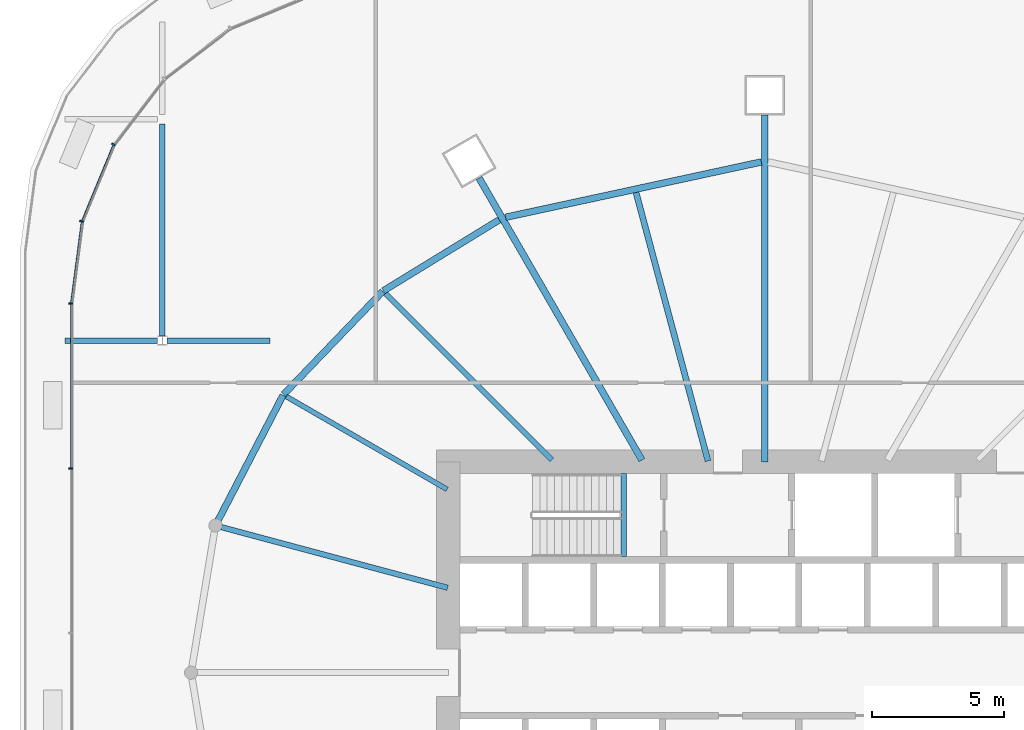
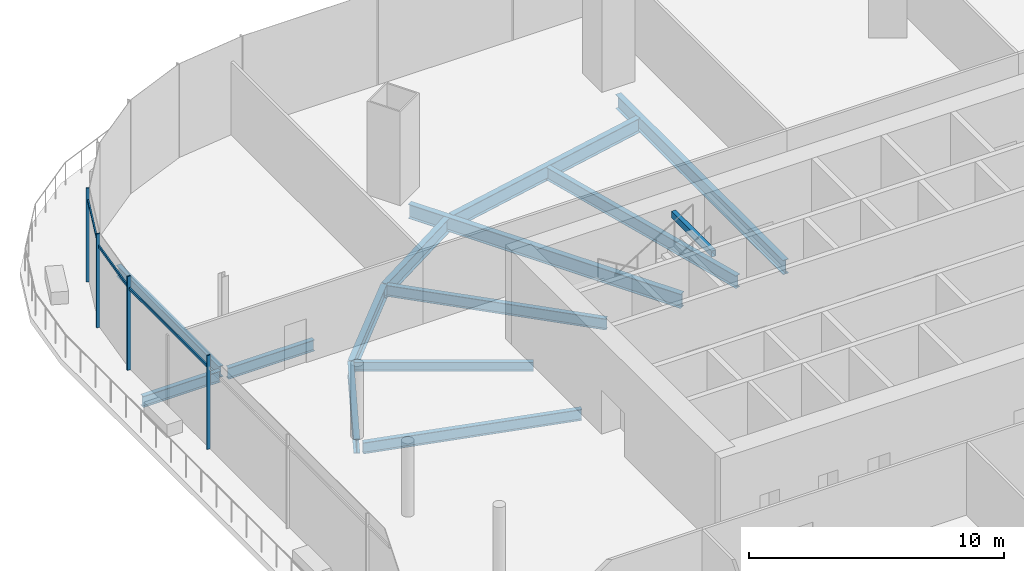
# One storey, part 15 of 49: 14 beams, 7 members, 1 element without a shape of its own.
"""IFC4 building model written with IfcOpenShell, lengths in metres."""

from ifc_helpers import new_model, si_unit, direction, frame, origin, origin_2d, place, context, subcontext, project, spatial, rectangle, hollow_rectangle, i_section, extrude, material, material_profile, profile_set, type_object, element, aggregate, save


model = new_model("IFC4")

# Units and contexts
model_context = context("Model", 3, precision=1e-05, world=origin(), true_north=direction((0.0, 1.0)))
body_context = subcontext(model_context, "Body", "Model", "MODEL_VIEW")
ifc_project = project(units=[si_unit("LENGTHUNIT", "METRE"), si_unit("AREAUNIT", "SQUARE_METRE"), si_unit("VOLUMEUNIT", "CUBIC_METRE"), si_unit("PLANEANGLEUNIT", "RADIAN"), si_unit("MASSUNIT", "GRAM", prefix="KILO")], contexts=[model_context])

# Site, building, storey
site_placement = place(None, origin())
site = spatial("IfcSite", under=ifc_project, at=site_placement, CompositionType="ELEMENT")
building_placement = place(site_placement, origin())
building = spatial("IfcBuilding", under=site, at=building_placement, Name="Rimbun Link Towers", CompositionType="ELEMENT")
storey_placement = place(building_placement, frame((0.0, 0.0, 25.5)))
storey = spatial("IfcBuildingStorey", under=building, at=storey_placement, Name="L05", CompositionType="ELEMENT", Elevation=25.5)

# Curtain wall, members
ifc_material_1 = material(Name="Aluminium 6063-T6 and low-iron glass", Category="aluminium")
curtain_wall_type = type_object("IfcCurtainWallType", Name="CW3 podium shopfront", PredefinedType="NOTDEFINED", material=ifc_material_1)
curtain_wall_placement = place(storey_placement, origin())
curtain_wall = element("IfcCurtainWall", 1, at=curtain_wall_placement, inside=storey, type_object=curtain_wall_type, Name="CW3 L05 PD", PredefinedType="NOTDEFINED")
ifc_material_2 = material(Name="Aluminium 6063-T6", Category="aluminium")
ifc_material_profile_1 = material_profile(ifc_material_2, rectangle(XDim=0.14990234375, YDim=0.06005859375, at=origin_2d()), Name="MULLION 60X150")
ifc_profile_set_1 = profile_set([ifc_material_profile_1], Name="Aluminium 6063-T6")
member_type_1 = type_object("IfcMemberType", Name="CW3 mullion 60X150", PredefinedType="MULLION", material=ifc_profile_set_1)
member_1_placement = place(storey_placement, frame((-56.457275390625, 20.03759765625, 0.0), z_axis=(0.0, 0.0, 1.0), x_axis=(-0.866029040155, 0.499993701568, 0.0)))
member_1 = element("IfcMember", 2, at=member_1_placement, type_object=member_type_1, Name="CW3 mullion", PredefinedType="MULLION", context=body_context, shape_type="SweptSolid", body=[
    extrude(rectangle(XDim=0.14990234375, YDim=0.06005859375, at=origin_2d()), origin(), (0.0, 0.0, 1.0), 4.5),
])
member_2_placement = place(storey_placement, frame((-57.66357421875, 17.125244140625, 0.0), z_axis=(0.0, 0.0, 1.0), x_axis=(-0.965925910978, 0.258818729038, 0.0)))
member_2 = element("IfcMember", 3, at=member_2_placement, type_object=member_type_1, Name="CW3 mullion", PredefinedType="MULLION", context=body_context, shape_type="SweptSolid", body=[
    extrude(rectangle(XDim=0.14990234375, YDim=0.06005859375, at=origin_2d()), origin(), (0.0, 0.0, 1.0), 4.5),
])
member_3_placement = place(storey_placement, frame((-58.074951171875, 14.0048828125, 0.0), z_axis=(0.0, 0.0, 1.0), x_axis=(-0.997858781723, 0.065405288299, 0.0)))
member_3 = element("IfcMember", 4, at=member_3_placement, type_object=member_type_1, Name="CW3 mullion", PredefinedType="MULLION", context=body_context, shape_type="SweptSolid", body=[
    extrude(rectangle(XDim=0.14990234375, YDim=0.06005859375, at=origin_2d()), origin(), (0.0, 0.0, 1.0), 4.5),
])
member_4_placement = place(storey_placement, frame((-58.074951171875, 7.75, 0.0), z_axis=(0.0, 0.0, 1.0), x_axis=(-1.0, 0.0, 0.0)))
member_4 = element("IfcMember", 5, at=member_4_placement, type_object=member_type_1, Name="CW3 mullion", PredefinedType="MULLION", context=body_context, shape_type="SweptSolid", body=[
    extrude(rectangle(XDim=0.14990234375, YDim=0.06005859375, at=origin_2d()), origin(), (0.0, 0.0, 1.0), 4.5),
])
ifc_material_3 = material(Name="Aluminium 6063-T6", Category="aluminium")
ifc_material_profile_2 = material_profile(ifc_material_3, rectangle(XDim=0.06005859375, YDim=0.1201171875, at=origin_2d()), Name="TRANSOM 60X120")
ifc_profile_set_2 = profile_set([ifc_material_profile_2], Name="Aluminium 6063-T6")
member_type_2 = type_object("IfcMemberType", Name="CW3 transom 60X120", PredefinedType="USERDEFINED", material=ifc_profile_set_2)
member_5_placement = place(storey_placement, frame((-57.62939453125, 17.154296875, 3.89990234375), z_axis=(0.382679289053, 0.923881248716, 0.0), x_axis=(-0.923881248716, 0.382679289053, 0.0)))
member_5 = element("IfcMember", 6, at=member_5_placement, type_object=member_type_2, Name="CW3 transom", ObjectType="TRANSOM", PredefinedType="USERDEFINED", context=body_context, shape_type="SweptSolid", body=[
    extrude(rectangle(XDim=0.06005859375, YDim=0.1201171875, at=origin_2d()), origin(), (0.0, 0.0, 1.0), 3.072509765625),
])
member_6_placement = place(storey_placement, frame((-58.049560546875, 14.036865234375, 3.89990234375), z_axis=(0.130555231638, 0.991441037829, 0.0), x_axis=(-0.991441037829, 0.130555231638, 0.0)))
member_6 = element("IfcMember", 7, at=member_6_placement, type_object=member_type_2, Name="CW3 transom", ObjectType="TRANSOM", PredefinedType="USERDEFINED", context=body_context, shape_type="SweptSolid", body=[
    extrude(rectangle(XDim=0.06005859375, YDim=0.1201171875, at=origin_2d()), origin(), (0.0, 0.0, 1.0), 3.072509765625),
])
member_7_placement = place(storey_placement, frame((-58.053955078125, 7.780029296875, 3.89990234375), z_axis=(0.0, 1.0, 0.0), x_axis=(-1.0, 0.0, 0.0)))
member_7 = element("IfcMember", 8, at=member_7_placement, type_object=member_type_2, Name="CW3 transom", ObjectType="TRANSOM", PredefinedType="USERDEFINED", context=body_context, shape_type="SweptSolid", body=[
    extrude(rectangle(XDim=0.06005859375, YDim=0.1201171875, at=origin_2d()), origin(), (0.0, 0.0, 1.0), 6.18994140625),
])
aggregate(curtain_wall, [member_1, member_2, member_3, member_4, member_5, member_6, member_7])

# Beams
ifc_material_4 = material(Name="Steel S355J2", Category="steel")
ifc_material_profile_3 = material_profile(ifc_material_4, hollow_rectangle(XDim=0.199951171875, YDim=0.300048828125, WallThickness=0.011962890625, at=origin_2d()), Name="BOX 300x200x12")
ifc_profile_set_3 = profile_set([ifc_material_profile_3], Name="Steel S355J2")
beam_type_1 = type_object("IfcBeamType", Name="Stair trimmer beam BOX 300x200x12", PredefinedType="BEAM", material=ifc_profile_set_3)
beam_1_placement = place(storey_placement, frame((-37.10009765625, 7.550048828125, 4.050048828125), z_axis=(0.0, -1.0, 0.0), x_axis=(1.0, 0.0, 0.0)))
element("IfcBeam", 9, at=beam_1_placement, inside=storey, type_object=beam_type_1, Name="L05 ST1 stair beam 1", PredefinedType="BEAM", context=body_context, shape_type="SweptSolid", body=[
    extrude(hollow_rectangle(XDim=0.199951171875, YDim=0.300048828125, WallThickness=0.011962890625, at=origin_2d()), origin(), (0.0, 0.0, 1.0), 3.150146484375),
])
ifc_material_5 = material(Name="Steel S355J2", Category="steel")
ifc_material_profile_4 = material_profile(ifc_material_5, i_section(OverallWidth=0.18994140625, OverallDepth=0.453369140625, WebThickness=0.008544921875, FlangeThickness=0.0126953125, at=origin_2d()), Name="UB 457x191x67")
ifc_profile_set_4 = profile_set([ifc_material_profile_4], Name="Steel S355J2")
beam_type_2 = type_object("IfcBeamType", Name="UB 457x191x67", PredefinedType="BEAM", material=ifc_profile_set_4)
beam_2_placement = place(storey_placement, frame((-43.79833984375, 6.9560546875, -0.526611328125), z_axis=(-0.866023453068, 0.500003378725, 0.0), x_axis=(-0.500003378725, -0.866023453068, 0.0)))
element("IfcBeam", 10, at=beam_2_placement, inside=storey, type_object=beam_type_2, Name="Radial beam T1 L05 10", PredefinedType="BEAM", context=body_context, shape_type="SweptSolid", body=[
    extrude(i_section(OverallWidth=0.18994140625, OverallDepth=0.453369140625, WebThickness=0.008544921875, FlangeThickness=0.0126953125, at=origin_2d()), origin(), (0.0, 0.0, 1.0), 7.04638671875),
])
ifc_material_6 = material(Name="Steel S355J2", Category="steel")
ifc_material_profile_5 = material_profile(ifc_material_6, i_section(OverallWidth=0.209228515625, OverallDepth=0.533203125, WebThickness=0.010009765625, FlangeThickness=0.015625, at=origin_2d()), Name="UB 533x210x92")
ifc_profile_set_5 = profile_set([ifc_material_profile_5], Name="Steel S355J2")
beam_type_3 = type_object("IfcBeamType", Name="UB 533x210x92", PredefinedType="BEAM", material=ifc_profile_set_5)
beam_3_placement = place(storey_placement, frame((-39.82470703125, 8.07470703125, -0.56640625), z_axis=(-0.707106781187, 0.707106781187, 0.0), x_axis=(-0.707106781187, -0.707106781187, 0.0)))
element("IfcBeam", 11, at=beam_3_placement, inside=storey, type_object=beam_type_3, Name="Radial beam T1 L05 09", PredefinedType="BEAM", context=body_context, shape_type="SweptSolid", body=[
    extrude(i_section(OverallWidth=0.209228515625, OverallDepth=0.533203125, WebThickness=0.010009765625, FlangeThickness=0.015625, at=origin_2d()), origin(), (0.0, 0.0, 1.0), 8.9287109375),
])
beam_4_placement = place(storey_placement, frame((-43.778076171875, 3.222900390625, -0.56640625), z_axis=(-0.965921441409, 0.258835409145, 0.0), x_axis=(-0.258835409145, -0.965921441409, 0.0)))
element("IfcBeam", 12, at=beam_4_placement, inside=storey, type_object=beam_type_3, Name="Radial beam T1 L05 11", PredefinedType="BEAM", context=body_context, shape_type="SweptSolid", body=[
    extrude(i_section(OverallWidth=0.209228515625, OverallDepth=0.533203125, WebThickness=0.010009765625, FlangeThickness=0.015625, at=origin_2d()), origin(), (0.0, 0.0, 1.0), 8.88720703125),
])
beam_5_placement = place(storey_placement, frame((-58.285400390625, 12.60009765625, -0.56640625), z_axis=(1.0, 0.0, 0.0), x_axis=(0.0, 1.0, 0.0)))
element("IfcBeam", 13, at=beam_5_placement, inside=storey, type_object=beam_type_3, Name="Grid beam L05 +12.6", PredefinedType="BEAM", context=body_context, shape_type="SweptSolid", body=[
    extrude(i_section(OverallWidth=0.209228515625, OverallDepth=0.533203125, WebThickness=0.010009765625, FlangeThickness=0.015625, at=origin_2d()), origin(), (0.0, 0.0, 1.0), 3.5),
])
beam_6_placement = place(storey_placement, frame((-54.414794921875, 12.60009765625, -0.56640625), z_axis=(1.0, 0.0, 0.0), x_axis=(0.0, 1.0, 0.0)))
element("IfcBeam", 14, at=beam_6_placement, inside=storey, type_object=beam_type_3, Name="Grid beam L05 +12.6", PredefinedType="BEAM", context=body_context, shape_type="SweptSolid", body=[
    extrude(i_section(OverallWidth=0.209228515625, OverallDepth=0.533203125, WebThickness=0.010009765625, FlangeThickness=0.015625, at=origin_2d()), origin(), (0.0, 0.0, 1.0), 3.900146484375),
])
beam_7_placement = place(storey_placement, frame((-54.60009765625, 12.781005859375, -0.56640625), z_axis=(0.0, 1.0, 0.0), x_axis=(-1.0, 0.0, 0.0)))
element("IfcBeam", 15, at=beam_7_placement, inside=storey, type_object=beam_type_3, Name="Grid beam L05 -54.6", PredefinedType="BEAM", context=body_context, shape_type="SweptSolid", body=[
    extrude(i_section(OverallWidth=0.209228515625, OverallDepth=0.533203125, WebThickness=0.010009765625, FlangeThickness=0.015625, at=origin_2d()), origin(), (0.0, 0.0, 1.0), 8.0380859375),
])
ifc_material_7 = material(Name="Steel S355J2", Category="steel")
ifc_material_profile_6 = material_profile(ifc_material_7, i_section(OverallWidth=0.2275390625, OverallDepth=0.6025390625, WebThickness=0.010498046875, FlangeThickness=0.014892578125, at=origin_2d()), Name="UB 610x229x101")
ifc_profile_set_6 = profile_set([ifc_material_profile_6], Name="Steel S355J2")
beam_type_4 = type_object("IfcBeamType", Name="UB 610x229x101", PredefinedType="BEAM", material=ifc_profile_set_6)
beam_8_placement = place(storey_placement, frame((-33.901611328125, 8.030517578125, -0.601318359375), z_axis=(-0.258844096103, 0.965919113545, 0.0), x_axis=(-0.965919113545, -0.258844096103, 0.0)))
element("IfcBeam", 16, at=beam_8_placement, inside=storey, type_object=beam_type_4, Name="Radial beam T1 L05 07", PredefinedType="BEAM", context=body_context, shape_type="SweptSolid", body=[
    extrude(i_section(OverallWidth=0.2275390625, OverallDepth=0.6025390625, WebThickness=0.010498046875, FlangeThickness=0.014892578125, at=origin_2d()), origin(), (0.0, 0.0, 1.0), 10.544921875),
])
ifc_material_8 = material(Name="Steel S355J2", Category="steel")
ifc_material_profile_7 = material_profile(ifc_material_8, i_section(OverallWidth=0.253662109375, OverallDepth=0.68359375, WebThickness=0.012451171875, FlangeThickness=0.01904296875, at=origin_2d()), Name="UB 686x254x140")
ifc_profile_set_7 = profile_set([ifc_material_profile_7], Name="Steel S355J2")
beam_type_5 = type_object("IfcBeamType", Name="UB 686x254x140", PredefinedType="BEAM", material=ifc_profile_set_7)
beam_9_placement = place(storey_placement, frame((-31.75, 8.0009765625, -0.641845703125), z_axis=(0.0, 1.0, 0.0), x_axis=(-1.0, 0.0, 0.0)))
element("IfcBeam", 17, at=beam_9_placement, inside=storey, type_object=beam_type_5, Name="Radial beam T1 L05 06", PredefinedType="BEAM", context=body_context, shape_type="SweptSolid", body=[
    extrude(i_section(OverallWidth=0.253662109375, OverallDepth=0.68359375, WebThickness=0.012451171875, FlangeThickness=0.01904296875, at=origin_2d()), origin(), (0.0, 0.0, 1.0), 13.1533203125),
])
beam_10_placement = place(storey_placement, frame((-36.406005859375, 8.064208984375, -0.641845703125), z_axis=(-0.499992594562, 0.866029679274, 0.0), x_axis=(-0.866029679274, -0.499992594562, 0.0)))
element("IfcBeam", 18, at=beam_10_placement, inside=storey, type_object=beam_type_5, Name="Radial beam T1 L05 08", PredefinedType="BEAM", context=body_context, shape_type="SweptSolid", body=[
    extrude(i_section(OverallWidth=0.253662109375, OverallDepth=0.68359375, WebThickness=0.012451171875, FlangeThickness=0.01904296875, at=origin_2d()), origin(), (0.0, 0.0, 1.0), 12.360595703125),
])
beam_11_placement = place(storey_placement, frame((-31.877685546875, 19.375244140625, -0.641845703125), z_axis=(-0.977390124833, -0.211443949734, 0.0), x_axis=(0.211443949734, -0.977390124833, 0.0)))
element("IfcBeam", 19, at=beam_11_placement, inside=storey, type_object=beam_type_5, Name="Edge beam T1 L05 06-08", PredefinedType="BEAM", context=body_context, shape_type="SweptSolid", body=[
    extrude(i_section(OverallWidth=0.253662109375, OverallDepth=0.68359375, WebThickness=0.012451171875, FlangeThickness=0.01904296875, at=origin_2d()), origin(), (0.0, 0.0, 1.0), 9.924072265625),
])
beam_12_placement = place(storey_placement, frame((-41.8203125, 17.179931640625, -0.641845703125), z_axis=(-0.852707458773, -0.522388734328, 0.0), x_axis=(0.522388734328, -0.852707458773, 0.0)))
element("IfcBeam", 20, at=beam_12_placement, inside=storey, type_object=beam_type_5, Name="Edge beam T1 L05 08", PredefinedType="BEAM", context=body_context, shape_type="SweptSolid", body=[
    extrude(i_section(OverallWidth=0.253662109375, OverallDepth=0.68359375, WebThickness=0.012451171875, FlangeThickness=0.01904296875, at=origin_2d()), origin(), (0.0, 0.0, 1.0), 5.153076171875),
])
beam_13_placement = place(storey_placement, frame((-46.240966796875, 14.466552734375, -0.641845703125), z_axis=(-0.692988130851, -0.720948992995, 0.0), x_axis=(0.720948992995, -0.692988130851, 0.0)))
element("IfcBeam", 21, at=beam_13_placement, inside=storey, type_object=beam_type_5, Name="Edge beam T1 L05 09", PredefinedType="BEAM", context=body_context, shape_type="SweptSolid", body=[
    extrude(i_section(OverallWidth=0.253662109375, OverallDepth=0.68359375, WebThickness=0.012451171875, FlangeThickness=0.01904296875, at=origin_2d()), origin(), (0.0, 0.0, 1.0), 5.42236328125),
])
beam_14_placement = place(storey_placement, frame((-50.020751953125, 10.5263671875, -0.641845703125), z_axis=(-0.460708800711, -0.887551351161, 0.0), x_axis=(0.887551351161, -0.460708800711, 0.0)))
element("IfcBeam", 22, at=beam_14_placement, inside=storey, type_object=beam_type_5, Name="Edge beam T1 L05 10", PredefinedType="BEAM", context=body_context, shape_type="SweptSolid", body=[
    extrude(i_section(OverallWidth=0.253662109375, OverallDepth=0.68359375, WebThickness=0.012451171875, FlangeThickness=0.01904296875, at=origin_2d()), origin(), (0.0, 0.0, 1.0), 5.34912109375),
])

save(model, "model.ifc")
